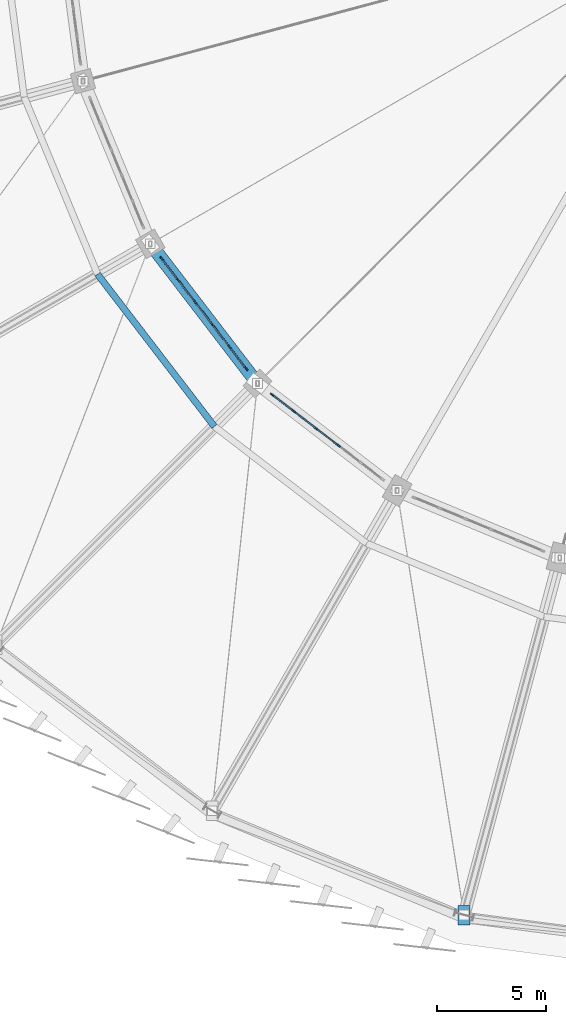
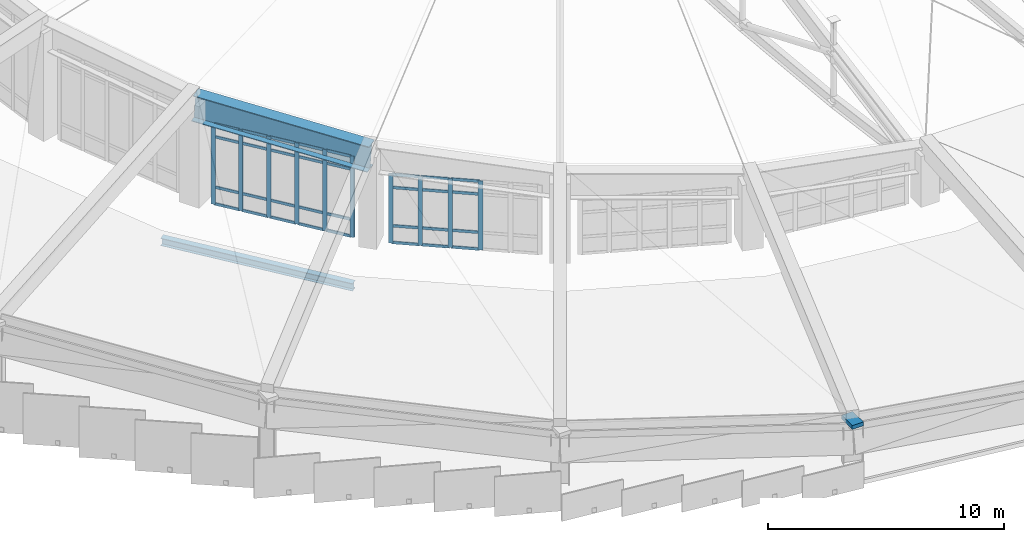
# One storey, part 9 of 68: 42 members, 3 beams, 2 elements without a shape of their own.
"""IFC4 building model written with IfcOpenShell, lengths in metres."""

from ifc_helpers import new_model, si_unit, direction, frame, origin, origin_2d, place, context, subcontext, project, spatial, rectangle, i_section, extrude, material, layer, layer_set, material_profile, profile_set, type_object, element, aggregate, save


model = new_model("IFC4")

# Units and contexts
model_context = context("Model", 3, precision=1e-05, world=origin(), true_north=direction((0.0, 1.0)))
body_context = subcontext(model_context, "Body", "Model", "MODEL_VIEW")
ifc_project = project(units=[si_unit("LENGTHUNIT", "METRE"), si_unit("AREAUNIT", "SQUARE_METRE"), si_unit("VOLUMEUNIT", "CUBIC_METRE"), si_unit("PLANEANGLEUNIT", "RADIAN"), si_unit("MASSUNIT", "GRAM", prefix="KILO")], contexts=[model_context])

# Site, building, storey
site_placement = place(None, origin())
site = spatial("IfcSite", under=ifc_project, at=site_placement, CompositionType="ELEMENT")
building_placement = place(site_placement, origin())
building = spatial("IfcBuilding", under=site, at=building_placement, Name="Sohan Crest Arena", CompositionType="ELEMENT")
storey_placement = place(building_placement, frame((0.0, 0.0, 27.0)))
storey = spatial("IfcBuildingStorey", under=building, at=storey_placement, Name="RF", CompositionType="ELEMENT", Elevation=27.0)

# Curtain wall, members
ifc_material_1 = material(Name="Thermally broken anodised aluminium", Category="aluminium")
ifc_layer = layer(ifc_material_1, 0.18994140625, Name="Thermally broken anodised aluminium")
ifc_layer_set = layer_set([ifc_layer], Name="Thermally broken anodised aluminium")
curtain_wall_type = type_object("IfcCurtainWallType", Name="ARC-CW05", PredefinedType="NOTDEFINED", material=ifc_layer_set)
curtain_wall_1_placement = place(storey_placement, origin())
curtain_wall_1 = element("IfcCurtainWall", 1, at=curtain_wall_1_placement, inside=storey, type_object=curtain_wall_type, Name="Unitised curtain wall CW-181", PredefinedType="NOTDEFINED")
ifc_material_profile_1 = material_profile(ifc_material_1, rectangle(XDim=0.070068359375, YDim=0.199951171875, at=origin_2d()), Name="ALU-MULL 70x200")
ifc_profile_set_1 = profile_set([ifc_material_profile_1], Name="Thermally broken anodised aluminium")
member_type_1 = type_object("IfcMemberType", Name="ARC-CW-ML03", PredefinedType="MULLION", material=ifc_profile_set_1)
member_1_placement = place(storey_placement, frame((71.67333984375, 61.8212890625, 0.0), z_axis=(0.0, 0.0, 1.0), x_axis=(0.793217053508, 0.608939000248, 0.0)))
member_1 = element("IfcMember", 2, at=member_1_placement, type_object=member_type_1, Name="CW-181 mullion 1", PredefinedType="MULLION", context=body_context, shape_type="SweptSolid", body=[
    extrude(rectangle(XDim=0.070068359375, YDim=0.199951171875, at=origin_2d()), origin(), (0.0, 0.0, 1.0), 4.20703125),
])
member_2_placement = place(storey_placement, frame((72.437744140625, 60.825439453125, 0.0), z_axis=(0.0, 0.0, 1.0), x_axis=(0.793217053508, 0.608939000248, 0.0)))
member_2 = element("IfcMember", 3, at=member_2_placement, type_object=member_type_1, Name="CW-181 mullion 2", PredefinedType="MULLION", context=body_context, shape_type="SweptSolid", body=[
    extrude(rectangle(XDim=0.070068359375, YDim=0.199951171875, at=origin_2d()), origin(), (0.0, 0.0, 1.0), 4.20703125),
])
member_3_placement = place(storey_placement, frame((73.2236328125, 59.8017578125, 0.0), z_axis=(0.0, 0.0, 1.0), x_axis=(0.793217053508, 0.608939000248, 0.0)))
member_3 = element("IfcMember", 4, at=member_3_placement, type_object=member_type_1, Name="CW-181 mullion 3", PredefinedType="MULLION", context=body_context, shape_type="SweptSolid", body=[
    extrude(rectangle(XDim=0.070068359375, YDim=0.199951171875, at=origin_2d()), origin(), (0.0, 0.0, 1.0), 4.20703125),
])
member_4_placement = place(storey_placement, frame((74.009521484375, 58.7783203125, 0.0), z_axis=(0.0, 0.0, 1.0), x_axis=(0.793217053508, 0.608939000248, 0.0)))
member_4 = element("IfcMember", 5, at=member_4_placement, type_object=member_type_1, Name="CW-181 mullion 4", PredefinedType="MULLION", context=body_context, shape_type="SweptSolid", body=[
    extrude(rectangle(XDim=0.070068359375, YDim=0.199951171875, at=origin_2d()), origin(), (0.0, 0.0, 1.0), 4.20703125),
])
member_5_placement = place(storey_placement, frame((74.795166015625, 57.754638671875, 0.0), z_axis=(0.0, 0.0, 1.0), x_axis=(0.793217053508, 0.608939000248, 0.0)))
member_5 = element("IfcMember", 6, at=member_5_placement, type_object=member_type_1, Name="CW-181 mullion 5", PredefinedType="MULLION", context=body_context, shape_type="SweptSolid", body=[
    extrude(rectangle(XDim=0.070068359375, YDim=0.199951171875, at=origin_2d()), origin(), (0.0, 0.0, 1.0), 4.20703125),
])
member_6_placement = place(storey_placement, frame((75.5595703125, 56.7587890625, 0.0), z_axis=(0.0, 0.0, 1.0), x_axis=(0.793217053508, 0.608939000248, 0.0)))
member_6 = element("IfcMember", 7, at=member_6_placement, type_object=member_type_1, Name="CW-181 mullion 6", PredefinedType="MULLION", context=body_context, shape_type="SweptSolid", body=[
    extrude(rectangle(XDim=0.070068359375, YDim=0.199951171875, at=origin_2d()), origin(), (0.0, 0.0, 1.0), 4.20703125),
])

curtain_wall_2_placement = place(storey_placement, origin())
curtain_wall_2 = element("IfcCurtainWall", 8, at=curtain_wall_2_placement, inside=storey, type_object=curtain_wall_type, Name="Unitised curtain wall CW-183", PredefinedType="NOTDEFINED")
member_7_placement = place(storey_placement, frame((76.7587890625, 55.5595703125, 0.0), z_axis=(0.0, 0.0, 1.0), x_axis=(0.608939000248, 0.793217053508, 0.0)))
member_7 = element("IfcMember", 9, at=member_7_placement, type_object=member_type_1, Name="CW-183 mullion 1", PredefinedType="MULLION", context=body_context, shape_type="SweptSolid", body=[
    extrude(rectangle(XDim=0.070068359375, YDim=0.199951171875, at=origin_2d()), origin(), (0.0, 0.0, 1.0), 3.5830078125),
])
member_8_placement = place(storey_placement, frame((77.754638671875, 54.795166015625, 0.0), z_axis=(0.0, 0.0, 1.0), x_axis=(0.608939000248, 0.793217053508, 0.0)))
member_8 = element("IfcMember", 10, at=member_8_placement, type_object=member_type_1, Name="CW-183 mullion 2", PredefinedType="MULLION", context=body_context, shape_type="SweptSolid", body=[
    extrude(rectangle(XDim=0.070068359375, YDim=0.199951171875, at=origin_2d()), origin(), (0.0, 0.0, 1.0), 3.5830078125),
])
member_9_placement = place(storey_placement, frame((78.7783203125, 54.009521484375, 0.0), z_axis=(0.0, 0.0, 1.0), x_axis=(0.608939000248, 0.793217053508, 0.0)))
member_9 = element("IfcMember", 11, at=member_9_placement, type_object=member_type_1, Name="CW-183 mullion 3", PredefinedType="MULLION", context=body_context, shape_type="SweptSolid", body=[
    extrude(rectangle(XDim=0.070068359375, YDim=0.199951171875, at=origin_2d()), origin(), (0.0, 0.0, 1.0), 3.5830078125),
])
member_10_placement = place(storey_placement, frame((79.8017578125, 53.2236328125, 0.0), z_axis=(0.0, 0.0, 1.0), x_axis=(0.608939000248, 0.793217053508, 0.0)))
member_10 = element("IfcMember", 12, at=member_10_placement, type_object=member_type_1, Name="CW-183 mullion 4", PredefinedType="MULLION", context=body_context, shape_type="SweptSolid", body=[
    extrude(rectangle(XDim=0.070068359375, YDim=0.199951171875, at=origin_2d()), origin(), (0.0, 0.0, 1.0), 3.5830078125),
])

# Member
ifc_material_profile_2 = material_profile(ifc_material_1, rectangle(XDim=0.06494140625, YDim=0.139892578125, at=origin_2d()), Name="ALU-TRAN 65x140")
ifc_profile_set_2 = profile_set([ifc_material_profile_2], Name="Thermally broken anodised aluminium")
member_type_2 = type_object("IfcMemberType", Name="ARC-CW-TR02", PredefinedType="USERDEFINED", material=ifc_profile_set_2)
member_11_placement = place(storey_placement, frame((71.694580078125, 61.79345703125, 0.032470703125), z_axis=(0.609023743394, -0.793151990467, 0.0), x_axis=(0.793151990467, 0.609023743394, 0.0)))
member_11 = element("IfcMember", 13, at=member_11_placement, type_object=member_type_2, Name="CW-181 transom 1.1", ObjectType="TRANSOM", PredefinedType="USERDEFINED", context=body_context, shape_type="SweptSolid", body=[
    extrude(rectangle(XDim=0.06494140625, YDim=0.139892578125, at=origin_2d()), origin(), (0.0, 0.0, 1.0), 1.185302734375),
])

member_12_placement = place(storey_placement, frame((71.694580078125, 61.79345703125, 0.89990234375), z_axis=(0.609023743394, -0.793151990467, 0.0), x_axis=(0.793151990467, 0.609023743394, 0.0)))
member_12 = element("IfcMember", 14, at=member_12_placement, type_object=member_type_2, Name="CW-181 transom 1.2", ObjectType="TRANSOM", PredefinedType="USERDEFINED", context=body_context, shape_type="SweptSolid", body=[
    extrude(rectangle(XDim=0.06494140625, YDim=0.139892578125, at=origin_2d()), origin(), (0.0, 0.0, 1.0), 1.185302734375),
])

member_13_placement = place(storey_placement, frame((71.694580078125, 61.79345703125, 3.507080078125), z_axis=(0.609023743394, -0.793151990467, 0.0), x_axis=(0.793151990467, 0.609023743394, 0.0)))
member_13 = element("IfcMember", 15, at=member_13_placement, type_object=member_type_2, Name="CW-181 transom 1.3", ObjectType="TRANSOM", PredefinedType="USERDEFINED", context=body_context, shape_type="SweptSolid", body=[
    extrude(rectangle(XDim=0.06494140625, YDim=0.139892578125, at=origin_2d()), origin(), (0.0, 0.0, 1.0), 1.185302734375),
])

member_14_placement = place(storey_placement, frame((71.694580078125, 61.79345703125, 4.174560546875), z_axis=(0.609023743394, -0.793151990467, 0.0), x_axis=(0.793151990467, 0.609023743394, 0.0)))
member_14 = element("IfcMember", 16, at=member_14_placement, type_object=member_type_2, Name="CW-181 transom 1.4", ObjectType="TRANSOM", PredefinedType="USERDEFINED", context=body_context, shape_type="SweptSolid", body=[
    extrude(rectangle(XDim=0.06494140625, YDim=0.139892578125, at=origin_2d()), origin(), (0.0, 0.0, 1.0), 1.185302734375),
])

member_15_placement = place(storey_placement, frame((72.459228515625, 60.797607421875, 0.032470703125), z_axis=(0.608956387903, -0.793203705004, 0.0), x_axis=(0.793203705004, 0.608956387903, 0.0)))
member_15 = element("IfcMember", 17, at=member_15_placement, type_object=member_type_2, Name="CW-181 transom 2.1", ObjectType="TRANSOM", PredefinedType="USERDEFINED", context=body_context, shape_type="SweptSolid", body=[
    extrude(rectangle(XDim=0.06494140625, YDim=0.139892578125, at=origin_2d()), origin(), (0.0, 0.0, 1.0), 1.220458984375),
])

member_16_placement = place(storey_placement, frame((72.459228515625, 60.797607421875, 0.89990234375), z_axis=(0.608956387903, -0.793203705004, 0.0), x_axis=(0.793203705004, 0.608956387903, 0.0)))
member_16 = element("IfcMember", 18, at=member_16_placement, type_object=member_type_2, Name="CW-181 transom 2.2", ObjectType="TRANSOM", PredefinedType="USERDEFINED", context=body_context, shape_type="SweptSolid", body=[
    extrude(rectangle(XDim=0.06494140625, YDim=0.139892578125, at=origin_2d()), origin(), (0.0, 0.0, 1.0), 1.220458984375),
])

member_17_placement = place(storey_placement, frame((72.459228515625, 60.797607421875, 3.507080078125), z_axis=(0.608956387903, -0.793203705004, 0.0), x_axis=(0.793203705004, 0.608956387903, 0.0)))
member_17 = element("IfcMember", 19, at=member_17_placement, type_object=member_type_2, Name="CW-181 transom 2.3", ObjectType="TRANSOM", PredefinedType="USERDEFINED", context=body_context, shape_type="SweptSolid", body=[
    extrude(rectangle(XDim=0.06494140625, YDim=0.139892578125, at=origin_2d()), origin(), (0.0, 0.0, 1.0), 1.220458984375),
])

member_18_placement = place(storey_placement, frame((72.459228515625, 60.797607421875, 4.174560546875), z_axis=(0.608956387903, -0.793203705004, 0.0), x_axis=(0.793203705004, 0.608956387903, 0.0)))
member_18 = element("IfcMember", 20, at=member_18_placement, type_object=member_type_2, Name="CW-181 transom 2.4", ObjectType="TRANSOM", PredefinedType="USERDEFINED", context=body_context, shape_type="SweptSolid", body=[
    extrude(rectangle(XDim=0.06494140625, YDim=0.139892578125, at=origin_2d()), origin(), (0.0, 0.0, 1.0), 1.220458984375),
])

member_19_placement = place(storey_placement, frame((73.244873046875, 59.77392578125, 0.032470703125), z_axis=(0.608956387903, -0.793203705004, 0.0), x_axis=(0.793203705004, 0.608956387903, 0.0)))
member_19 = element("IfcMember", 21, at=member_19_placement, type_object=member_type_2, Name="CW-181 transom 3.1", ObjectType="TRANSOM", PredefinedType="USERDEFINED", context=body_context, shape_type="SweptSolid", body=[
    extrude(rectangle(XDim=0.06494140625, YDim=0.139892578125, at=origin_2d()), origin(), (0.0, 0.0, 1.0), 1.220458984375),
])

member_20_placement = place(storey_placement, frame((73.244873046875, 59.77392578125, 0.89990234375), z_axis=(0.608956387903, -0.793203705004, 0.0), x_axis=(0.793203705004, 0.608956387903, 0.0)))
member_20 = element("IfcMember", 22, at=member_20_placement, type_object=member_type_2, Name="CW-181 transom 3.2", ObjectType="TRANSOM", PredefinedType="USERDEFINED", context=body_context, shape_type="SweptSolid", body=[
    extrude(rectangle(XDim=0.06494140625, YDim=0.139892578125, at=origin_2d()), origin(), (0.0, 0.0, 1.0), 1.220458984375),
])

member_21_placement = place(storey_placement, frame((73.244873046875, 59.77392578125, 3.507080078125), z_axis=(0.608956387903, -0.793203705004, 0.0), x_axis=(0.793203705004, 0.608956387903, 0.0)))
member_21 = element("IfcMember", 23, at=member_21_placement, type_object=member_type_2, Name="CW-181 transom 3.3", ObjectType="TRANSOM", PredefinedType="USERDEFINED", context=body_context, shape_type="SweptSolid", body=[
    extrude(rectangle(XDim=0.06494140625, YDim=0.139892578125, at=origin_2d()), origin(), (0.0, 0.0, 1.0), 1.220458984375),
])

member_22_placement = place(storey_placement, frame((73.244873046875, 59.77392578125, 4.174560546875), z_axis=(0.608956387903, -0.793203705004, 0.0), x_axis=(0.793203705004, 0.608956387903, 0.0)))
member_22 = element("IfcMember", 24, at=member_22_placement, type_object=member_type_2, Name="CW-181 transom 3.4", ObjectType="TRANSOM", PredefinedType="USERDEFINED", context=body_context, shape_type="SweptSolid", body=[
    extrude(rectangle(XDim=0.06494140625, YDim=0.139892578125, at=origin_2d()), origin(), (0.0, 0.0, 1.0), 1.220458984375),
])

member_23_placement = place(storey_placement, frame((74.03076171875, 58.75048828125, 0.032470703125), z_axis=(0.608956387903, -0.793203705004, 0.0), x_axis=(0.793203705004, 0.608956387903, 0.0)))
member_23 = element("IfcMember", 25, at=member_23_placement, type_object=member_type_2, Name="CW-181 transom 4.1", ObjectType="TRANSOM", PredefinedType="USERDEFINED", context=body_context, shape_type="SweptSolid", body=[
    extrude(rectangle(XDim=0.06494140625, YDim=0.139892578125, at=origin_2d()), origin(), (0.0, 0.0, 1.0), 1.220458984375),
])

member_24_placement = place(storey_placement, frame((74.03076171875, 58.75048828125, 0.89990234375), z_axis=(0.608956387903, -0.793203705004, 0.0), x_axis=(0.793203705004, 0.608956387903, 0.0)))
member_24 = element("IfcMember", 26, at=member_24_placement, type_object=member_type_2, Name="CW-181 transom 4.2", ObjectType="TRANSOM", PredefinedType="USERDEFINED", context=body_context, shape_type="SweptSolid", body=[
    extrude(rectangle(XDim=0.06494140625, YDim=0.139892578125, at=origin_2d()), origin(), (0.0, 0.0, 1.0), 1.220458984375),
])

member_25_placement = place(storey_placement, frame((74.03076171875, 58.75048828125, 3.507080078125), z_axis=(0.608956387903, -0.793203705004, 0.0), x_axis=(0.793203705004, 0.608956387903, 0.0)))
member_25 = element("IfcMember", 27, at=member_25_placement, type_object=member_type_2, Name="CW-181 transom 4.3", ObjectType="TRANSOM", PredefinedType="USERDEFINED", context=body_context, shape_type="SweptSolid", body=[
    extrude(rectangle(XDim=0.06494140625, YDim=0.139892578125, at=origin_2d()), origin(), (0.0, 0.0, 1.0), 1.220458984375),
])

member_26_placement = place(storey_placement, frame((74.03076171875, 58.75048828125, 4.174560546875), z_axis=(0.608956387903, -0.793203705004, 0.0), x_axis=(0.793203705004, 0.608956387903, 0.0)))
member_26 = element("IfcMember", 28, at=member_26_placement, type_object=member_type_2, Name="CW-181 transom 4.4", ObjectType="TRANSOM", PredefinedType="USERDEFINED", context=body_context, shape_type="SweptSolid", body=[
    extrude(rectangle(XDim=0.06494140625, YDim=0.139892578125, at=origin_2d()), origin(), (0.0, 0.0, 1.0), 1.220458984375),
])

member_27_placement = place(storey_placement, frame((74.81640625, 57.726806640625, 0.032470703125), z_axis=(0.609023743394, -0.793151990467, 0.0), x_axis=(0.793151990467, 0.609023743394, 0.0)))
member_27 = element("IfcMember", 29, at=member_27_placement, type_object=member_type_2, Name="CW-181 transom 5.1", ObjectType="TRANSOM", PredefinedType="USERDEFINED", context=body_context, shape_type="SweptSolid", body=[
    extrude(rectangle(XDim=0.06494140625, YDim=0.139892578125, at=origin_2d()), origin(), (0.0, 0.0, 1.0), 1.185302734375),
])

member_28_placement = place(storey_placement, frame((74.81640625, 57.726806640625, 0.89990234375), z_axis=(0.609023743394, -0.793151990467, 0.0), x_axis=(0.793151990467, 0.609023743394, 0.0)))
member_28 = element("IfcMember", 30, at=member_28_placement, type_object=member_type_2, Name="CW-181 transom 5.2", ObjectType="TRANSOM", PredefinedType="USERDEFINED", context=body_context, shape_type="SweptSolid", body=[
    extrude(rectangle(XDim=0.06494140625, YDim=0.139892578125, at=origin_2d()), origin(), (0.0, 0.0, 1.0), 1.185302734375),
])

member_29_placement = place(storey_placement, frame((74.81640625, 57.726806640625, 3.507080078125), z_axis=(0.609023743394, -0.793151990467, 0.0), x_axis=(0.793151990467, 0.609023743394, 0.0)))
member_29 = element("IfcMember", 31, at=member_29_placement, type_object=member_type_2, Name="CW-181 transom 5.3", ObjectType="TRANSOM", PredefinedType="USERDEFINED", context=body_context, shape_type="SweptSolid", body=[
    extrude(rectangle(XDim=0.06494140625, YDim=0.139892578125, at=origin_2d()), origin(), (0.0, 0.0, 1.0), 1.185302734375),
])

member_30_placement = place(storey_placement, frame((74.81640625, 57.726806640625, 4.174560546875), z_axis=(0.609023743394, -0.793151990467, 0.0), x_axis=(0.793151990467, 0.609023743394, 0.0)))
member_30 = element("IfcMember", 32, at=member_30_placement, type_object=member_type_2, Name="CW-181 transom 5.4", ObjectType="TRANSOM", PredefinedType="USERDEFINED", context=body_context, shape_type="SweptSolid", body=[
    extrude(rectangle(XDim=0.06494140625, YDim=0.139892578125, at=origin_2d()), origin(), (0.0, 0.0, 1.0), 1.185302734375),
])

aggregate(curtain_wall_1, [member_1, member_2, member_3, member_4, member_5, member_6, member_11, member_12, member_13, member_14, member_15, member_16, member_17, member_18, member_19, member_20, member_21, member_22, member_23, member_24, member_25, member_26, member_27, member_28, member_29, member_30])

member_31_placement = place(storey_placement, frame((76.78662109375, 55.538330078125, 0.032470703125), z_axis=(0.793151990467, -0.609023743394, 0.0), x_axis=(0.609023743394, 0.793151990467, 0.0)))
member_31 = element("IfcMember", 33, at=member_31_placement, type_object=member_type_2, Name="CW-183 transom 1.1", ObjectType="TRANSOM", PredefinedType="USERDEFINED", context=body_context, shape_type="SweptSolid", body=[
    extrude(rectangle(XDim=0.06494140625, YDim=0.139892578125, at=origin_2d()), origin(), (0.0, 0.0, 1.0), 1.185302734375),
])

member_32_placement = place(storey_placement, frame((76.78662109375, 55.538330078125, 0.89990234375), z_axis=(0.793151990467, -0.609023743394, 0.0), x_axis=(0.609023743394, 0.793151990467, 0.0)))
member_32 = element("IfcMember", 34, at=member_32_placement, type_object=member_type_2, Name="CW-183 transom 1.2", ObjectType="TRANSOM", PredefinedType="USERDEFINED", context=body_context, shape_type="SweptSolid", body=[
    extrude(rectangle(XDim=0.06494140625, YDim=0.139892578125, at=origin_2d()), origin(), (0.0, 0.0, 1.0), 1.185302734375),
])

member_33_placement = place(storey_placement, frame((76.78662109375, 55.538330078125, 2.883056640625), z_axis=(0.793151990467, -0.609023743394, 0.0), x_axis=(0.609023743394, 0.793151990467, 0.0)))
member_33 = element("IfcMember", 35, at=member_33_placement, type_object=member_type_2, Name="CW-183 transom 1.3", ObjectType="TRANSOM", PredefinedType="USERDEFINED", context=body_context, shape_type="SweptSolid", body=[
    extrude(rectangle(XDim=0.06494140625, YDim=0.139892578125, at=origin_2d()), origin(), (0.0, 0.0, 1.0), 1.185302734375),
])

member_34_placement = place(storey_placement, frame((76.78662109375, 55.538330078125, 3.550537109375), z_axis=(0.793151990467, -0.609023743394, 0.0), x_axis=(0.609023743394, 0.793151990467, 0.0)))
member_34 = element("IfcMember", 36, at=member_34_placement, type_object=member_type_2, Name="CW-183 transom 1.4", ObjectType="TRANSOM", PredefinedType="USERDEFINED", context=body_context, shape_type="SweptSolid", body=[
    extrude(rectangle(XDim=0.06494140625, YDim=0.139892578125, at=origin_2d()), origin(), (0.0, 0.0, 1.0), 1.185302734375),
])

member_35_placement = place(storey_placement, frame((77.782470703125, 54.77392578125, 0.032470703125), z_axis=(0.793203705004, -0.608956387903, 0.0), x_axis=(0.608956387903, 0.793203705004, 0.0)))
member_35 = element("IfcMember", 37, at=member_35_placement, type_object=member_type_2, Name="CW-183 transom 2.1", ObjectType="TRANSOM", PredefinedType="USERDEFINED", context=body_context, shape_type="SweptSolid", body=[
    extrude(rectangle(XDim=0.06494140625, YDim=0.139892578125, at=origin_2d()), origin(), (0.0, 0.0, 1.0), 1.220458984375),
])

member_36_placement = place(storey_placement, frame((77.782470703125, 54.77392578125, 0.89990234375), z_axis=(0.793203705004, -0.608956387903, 0.0), x_axis=(0.608956387903, 0.793203705004, 0.0)))
member_36 = element("IfcMember", 38, at=member_36_placement, type_object=member_type_2, Name="CW-183 transom 2.2", ObjectType="TRANSOM", PredefinedType="USERDEFINED", context=body_context, shape_type="SweptSolid", body=[
    extrude(rectangle(XDim=0.06494140625, YDim=0.139892578125, at=origin_2d()), origin(), (0.0, 0.0, 1.0), 1.220458984375),
])

member_37_placement = place(storey_placement, frame((77.782470703125, 54.77392578125, 2.883056640625), z_axis=(0.793203705004, -0.608956387903, 0.0), x_axis=(0.608956387903, 0.793203705004, 0.0)))
member_37 = element("IfcMember", 39, at=member_37_placement, type_object=member_type_2, Name="CW-183 transom 2.3", ObjectType="TRANSOM", PredefinedType="USERDEFINED", context=body_context, shape_type="SweptSolid", body=[
    extrude(rectangle(XDim=0.06494140625, YDim=0.139892578125, at=origin_2d()), origin(), (0.0, 0.0, 1.0), 1.220458984375),
])

member_38_placement = place(storey_placement, frame((77.782470703125, 54.77392578125, 3.550537109375), z_axis=(0.793203705004, -0.608956387903, 0.0), x_axis=(0.608956387903, 0.793203705004, 0.0)))
member_38 = element("IfcMember", 40, at=member_38_placement, type_object=member_type_2, Name="CW-183 transom 2.4", ObjectType="TRANSOM", PredefinedType="USERDEFINED", context=body_context, shape_type="SweptSolid", body=[
    extrude(rectangle(XDim=0.06494140625, YDim=0.139892578125, at=origin_2d()), origin(), (0.0, 0.0, 1.0), 1.220458984375),
])

member_39_placement = place(storey_placement, frame((78.805908203125, 53.988037109375, 0.032470703125), z_axis=(0.793203705004, -0.608956387903, 0.0), x_axis=(0.608956387903, 0.793203705004, 0.0)))
member_39 = element("IfcMember", 41, at=member_39_placement, type_object=member_type_2, Name="CW-183 transom 3.1", ObjectType="TRANSOM", PredefinedType="USERDEFINED", context=body_context, shape_type="SweptSolid", body=[
    extrude(rectangle(XDim=0.06494140625, YDim=0.139892578125, at=origin_2d()), origin(), (0.0, 0.0, 1.0), 1.220458984375),
])

member_40_placement = place(storey_placement, frame((78.805908203125, 53.988037109375, 0.89990234375), z_axis=(0.793203705004, -0.608956387903, 0.0), x_axis=(0.608956387903, 0.793203705004, 0.0)))
member_40 = element("IfcMember", 42, at=member_40_placement, type_object=member_type_2, Name="CW-183 transom 3.2", ObjectType="TRANSOM", PredefinedType="USERDEFINED", context=body_context, shape_type="SweptSolid", body=[
    extrude(rectangle(XDim=0.06494140625, YDim=0.139892578125, at=origin_2d()), origin(), (0.0, 0.0, 1.0), 1.220458984375),
])

member_41_placement = place(storey_placement, frame((78.805908203125, 53.988037109375, 2.883056640625), z_axis=(0.793203705004, -0.608956387903, 0.0), x_axis=(0.608956387903, 0.793203705004, 0.0)))
member_41 = element("IfcMember", 43, at=member_41_placement, type_object=member_type_2, Name="CW-183 transom 3.3", ObjectType="TRANSOM", PredefinedType="USERDEFINED", context=body_context, shape_type="SweptSolid", body=[
    extrude(rectangle(XDim=0.06494140625, YDim=0.139892578125, at=origin_2d()), origin(), (0.0, 0.0, 1.0), 1.220458984375),
])

member_42_placement = place(storey_placement, frame((78.805908203125, 53.988037109375, 3.550537109375), z_axis=(0.793203705004, -0.608956387903, 0.0), x_axis=(0.608956387903, 0.793203705004, 0.0)))
member_42 = element("IfcMember", 44, at=member_42_placement, type_object=member_type_2, Name="CW-183 transom 3.4", ObjectType="TRANSOM", PredefinedType="USERDEFINED", context=body_context, shape_type="SweptSolid", body=[
    extrude(rectangle(XDim=0.06494140625, YDim=0.139892578125, at=origin_2d()), origin(), (0.0, 0.0, 1.0), 1.220458984375),
])

aggregate(curtain_wall_2, [member_7, member_8, member_9, member_10, member_31, member_32, member_33, member_34, member_35, member_36, member_37, member_38, member_39, member_40, member_41, member_42])

# Beams
ifc_material_2 = material(Name="Steel S355", Category="steel")
ifc_material_profile_3 = material_profile(ifc_material_2, i_section(OverallWidth=0.300048828125, OverallDepth=0.389892578125, WebThickness=0.010986328125, FlangeThickness=0.01904296875, at=origin_2d()), Name="HEA 400")
ifc_profile_set_3 = profile_set([ifc_material_profile_3], Name="Steel S355")
beam_type_1 = type_object("IfcBeamType", Name="STR-BM-B09", PredefinedType="BEAM", material=ifc_profile_set_3)
beam_1_placement = place(storey_placement, frame((68.72802734375, 61.10009765625, -0.4150390625), z_axis=(0.608817165336, -0.793310569192, 0.0), x_axis=(0.793310569192, 0.608817165336, 0.0)))
element("IfcBeam", 45, at=beam_1_placement, inside=storey, type_object=beam_type_1, Name="Structural beam RG-RF-1891", PredefinedType="BEAM", context=body_context, shape_type="SweptSolid", body=[
    extrude(i_section(OverallWidth=0.300048828125, OverallDepth=0.389892578125, WebThickness=0.010986328125, FlangeThickness=0.01904296875, at=origin_2d()), origin(), (0.0, 0.0, 1.0), 8.82373046875),
])
ifc_material_profile_4 = material_profile(ifc_material_2, i_section(OverallWidth=0.60009765625, OverallDepth=1.35009765625, WebThickness=0.02392578125, FlangeThickness=0.035888671875, at=origin_2d()), Name="PG 1350x600x24x36")
ifc_profile_set_4 = profile_set([ifc_material_profile_4], Name="Steel S355")
beam_type_2 = type_object("IfcBeamType", Name="STR-BM-RB02", PredefinedType="USERDEFINED", material=ifc_profile_set_4)
beam_2_placement = place(storey_placement, frame((71.153076171875, 62.5, 4.904052734375), z_axis=(0.6076801807, -0.791812002958, -0.061307013919), x_axis=(0.793304243257, 0.608825408167, 0.0)))
element("IfcBeam", 46, at=beam_2_placement, inside=storey, type_object=beam_type_2, Name="Rising compression ring beam segment RB-09", ObjectType="RING BEAM", PredefinedType="USERDEFINED", context=body_context, shape_type="SweptSolid", body=[
    extrude(i_section(OverallWidth=0.60009765625, OverallDepth=1.35009765625, WebThickness=0.02392578125, FlangeThickness=0.035888671875, at=origin_2d()), origin(), (0.0, 0.0, 1.0), 8.10791015625),
])
ifc_material_3 = material(Name="Precast concrete C50/60", Category="concrete")
ifc_material_profile_5 = material_profile(ifc_material_3, rectangle(XDim=0.550048828125, YDim=0.89990234375, at=origin_2d()), Name="RAKER 550x900")
ifc_profile_set_5 = profile_set([ifc_material_profile_5], Name="Precast concrete C50/60")
beam_type_3 = type_object("IfcBeamType", Name="STR-BM-RK01", PredefinedType="USERDEFINED", material=ifc_profile_set_5)
beam_3_placement = place(storey_placement, frame((85.576904296875, 31.635986328125, 2.30810546875), z_axis=(0.0, 0.0, -1.0), x_axis=(1.0, 0.0, 0.0)))
element("IfcBeam", 47, at=beam_3_placement, inside=storey, type_object=beam_type_3, Name="Perimeter cantilever nose bracket RKC-12", ObjectType="RAKER", PredefinedType="USERDEFINED", context=body_context, shape_type="SweptSolid", body=[
    extrude(rectangle(XDim=0.550048828125, YDim=0.89990234375, at=origin_2d()), origin(), (0.0, 0.0, 1.0), 0.2001953125),
])

save(model, "model.ifc")
